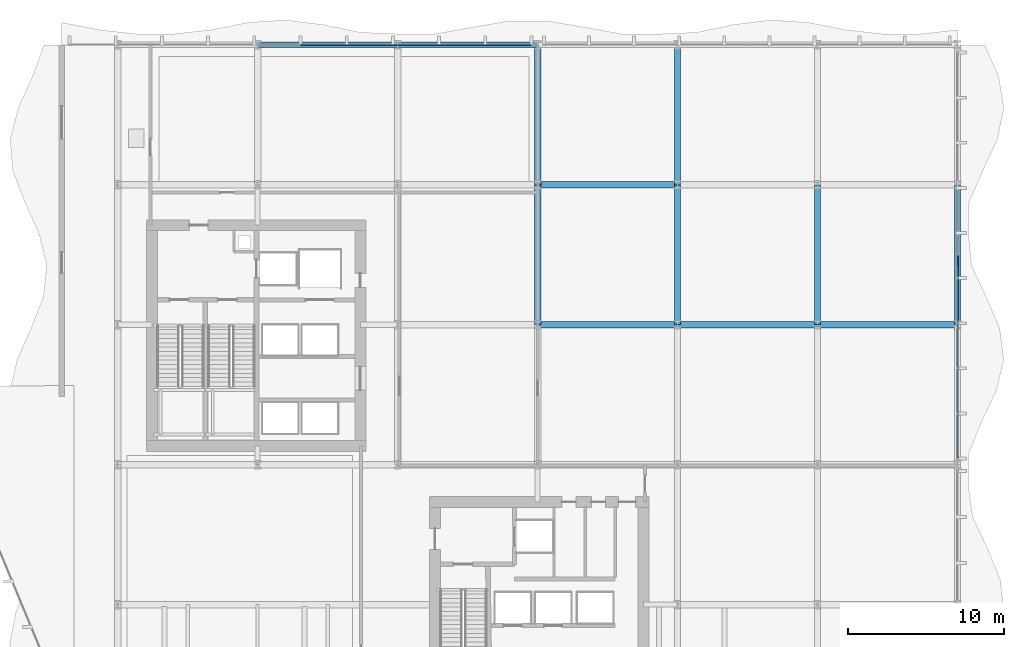
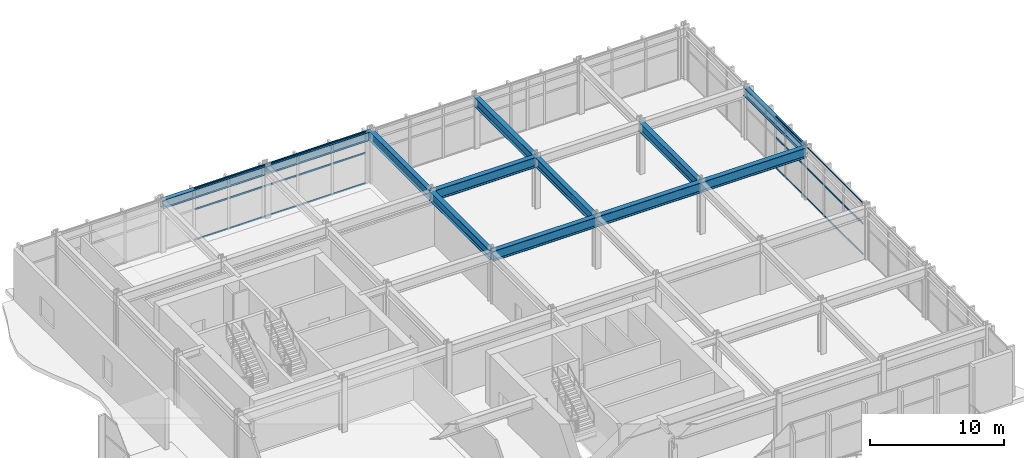
# One storey, part 14 of 28: 12 beams, 6 members, 2 elements without a shape of their own.
"""IFC4 building model written with IfcOpenShell, lengths in metres."""

from ifc_helpers import new_model, si_unit, direction, frame, origin, origin_2d, place, context, subcontext, project, spatial, hollow_rectangle, i_section, extrude, material, layer, layer_set, material_profile, profile_set, type_object, element, aggregate, save


model = new_model("IFC4")

# Units and contexts
model_context = context("Model", 3, precision=1e-05, world=origin(), true_north=direction((0.0, 1.0)))
body_context = subcontext(model_context, "Body", "Model", "MODEL_VIEW")
ifc_project = project(units=[si_unit("LENGTHUNIT", "METRE"), si_unit("AREAUNIT", "SQUARE_METRE"), si_unit("VOLUMEUNIT", "CUBIC_METRE"), si_unit("PLANEANGLEUNIT", "RADIAN"), si_unit("MASSUNIT", "GRAM", prefix="KILO")], contexts=[model_context])

# Site, building, storey
site_placement = place(None, origin())
site = spatial("IfcSite", under=ifc_project, at=site_placement, CompositionType="ELEMENT")
building_placement = place(site_placement, origin())
building = spatial("IfcBuilding", under=site, at=building_placement, Name="Solvaryn Broadcast Tower", CompositionType="ELEMENT")
storey_placement = place(building_placement, frame((0.0, 0.0, 16.199951171875)))
storey = spatial("IfcBuildingStorey", under=building, at=storey_placement, Name="L03", CompositionType="ELEMENT", Elevation=16.199951171875)

# Beams
ifc_material_1 = material(Name="Steel ASTM A992 Grade 50", Category="steel")
ifc_material_profile_1 = material_profile(ifc_material_1, i_section(OverallWidth=0.41796875, OverallDepth=0.927001953125, WebThickness=0.019287109375, FlangeThickness=0.031982421875, FilletRadius=0.02392578125, at=origin_2d()))
ifc_profile_set_1 = profile_set([ifc_material_profile_1], Name="Steel ASTM A992 Grade 50")
beam_type_1 = type_object("IfcBeamType", Name="BM-G2-W36X231", PredefinedType="BEAM", material=ifc_profile_set_1)
for number, where, z_axis, x_axis, name in (
    (1, (36.0, 36.0, 4.216552734375), (1.0, 0.0, 0.0), (0.0, 1.0, 0.0), "L03 Primary Beam X (36-45 @ Y=36)"),
    (2, (45.0, 36.0, 4.216552734375), (1.0, 0.0, 0.0), (0.0, 1.0, 0.0), "L03 Primary Beam X (45-54 @ Y=36)"),
    (3, (54.0, 36.0, 4.216552734375), (1.0, 0.0, 0.0), (0.0, 1.0, 0.0), "L03 Primary Beam X (54-63 @ Y=36)"),
    (4, (36.0, 45.0, 4.216552734375), (1.0, 0.0, 0.0), (0.0, 1.0, 0.0), "L03 Primary Beam X (36-45 @ Y=45)"),
):
    element("IfcBeam", number, at=place(storey_placement, frame(where, z_axis=z_axis, x_axis=x_axis)), inside=storey, type_object=beam_type_1, Name=name, PredefinedType="BEAM", context=body_context, shape_type="SweptSolid", body=[
        extrude(i_section(OverallWidth=0.41796875, OverallDepth=0.927001953125, WebThickness=0.019287109375, FlangeThickness=0.031982421875, FilletRadius=0.02392578125, at=origin_2d()), origin(), (0.0, 0.0, 1.0), 9.0),
    ])
ifc_material_2 = material(Name="Steel ASTM A992 Grade 50", Category="steel")
ifc_material_profile_2 = material_profile(ifc_material_2, i_section(OverallWidth=0.39990234375, OverallDepth=0.85498046875, WebThickness=0.018310546875, FlangeThickness=0.029296875, FilletRadius=0.02001953125, at=origin_2d()))
ifc_profile_set_2 = profile_set([ifc_material_profile_2], Name="Steel ASTM A992 Grade 50")
beam_type_2 = type_object("IfcBeamType", Name="BM-G3-W33X201", PredefinedType="BEAM", material=ifc_profile_set_2)
for number, where, z_axis, x_axis, name in (
    (5, (36.0, 36.0, 4.25244140625), (0.0, 1.0, 0.0), (-1.0, 0.0, 0.0), "L03 Primary Beam Y (36-45 @ X=36)"),
    (6, (36.0, 45.0, 4.25244140625), (0.0, 1.0, 0.0), (-1.0, 0.0, 0.0), "L03 Primary Beam Y (45-54 @ X=36)"),
    (7, (45.0, 36.0, 4.25244140625), (0.0, 1.0, 0.0), (-1.0, 0.0, 0.0), "L03 Primary Beam Y (36-45 @ X=45)"),
    (8, (45.0, 45.0, 4.25244140625), (0.0, 1.0, 0.0), (-1.0, 0.0, 0.0), "L03 Primary Beam Y (45-54 @ X=45)"),
    (9, (54.0, 36.0, 4.25244140625), (0.0, 1.0, 0.0), (-1.0, 0.0, 0.0), "L03 Primary Beam Y (36-45 @ X=54)"),
):
    element("IfcBeam", number, at=place(storey_placement, frame(where, z_axis=z_axis, x_axis=x_axis)), inside=storey, type_object=beam_type_2, Name=name, PredefinedType="BEAM", context=body_context, shape_type="SweptSolid", body=[
        extrude(i_section(OverallWidth=0.39990234375, OverallDepth=0.85498046875, WebThickness=0.018310546875, FlangeThickness=0.029296875, FilletRadius=0.02001953125, at=origin_2d()), origin(), (0.0, 0.0, 1.0), 9.0),
    ])
ifc_material_3 = material(Name="Steel ASTM A992 Grade 50", Category="steel")
ifc_material_profile_3 = material_profile(ifc_material_3, i_section(OverallWidth=0.381103515625, OverallDepth=0.77294921875, WebThickness=0.0166015625, FlangeThickness=0.027099609375, FilletRadius=0.01806640625, at=origin_2d()))
ifc_profile_set_3 = profile_set([ifc_material_profile_3], Name="Steel ASTM A992 Grade 50")
beam_type_3 = type_object("IfcBeamType", Name="BM-SP1-W30X173", PredefinedType="USERDEFINED", material=ifc_profile_set_3)
for number, where, z_axis, x_axis, name in (
    (10, (18.0, 54.0, 4.29345703125), (1.0, 0.0, 0.0), (0.0, 1.0, 0.0), "L03 Spandrel Beam X (18-27 @ Y=54)"),
    (11, (27.0, 54.0, 4.29345703125), (1.0, 0.0, 0.0), (0.0, 1.0, 0.0), "L03 Spandrel Beam X (27-36 @ Y=54)"),
    (12, (63.0, 36.0, 4.29345703125), (0.0, 1.0, 0.0), (-1.0, 0.0, 0.0), "L03 Spandrel Beam Y (36-45 @ X=63)"),
):
    element("IfcBeam", number, at=place(storey_placement, frame(where, z_axis=z_axis, x_axis=x_axis)), inside=storey, type_object=beam_type_3, Name=name, ObjectType="SPANDREL", PredefinedType="USERDEFINED", context=body_context, shape_type="SweptSolid", body=[
        extrude(i_section(OverallWidth=0.381103515625, OverallDepth=0.77294921875, WebThickness=0.0166015625, FlangeThickness=0.027099609375, FilletRadius=0.01806640625, at=origin_2d()), origin(), (0.0, 0.0, 1.0), 9.0),
    ])

# Curtain wall, members
ifc_material_4 = material(Name="Aluminium and Terracotta Unitised Curtain Wall", Category="masonry")
ifc_layer = layer(ifc_material_4, 0.219970703125)
ifc_layer_set = layer_set([ifc_layer], Name="CW-SYS1-PODIUM")
curtain_wall_type = type_object("IfcCurtainWallType", Name="CW-SYS1-PODIUM", PredefinedType="NOTDEFINED", material=ifc_layer_set)
curtain_wall_1_placement = place(storey_placement, origin())
curtain_wall_1 = element("IfcCurtainWall", 13, at=curtain_wall_1_placement, inside=storey, type_object=curtain_wall_type, Name="L03 Podium Curtain Wall N1", PredefinedType="NOTDEFINED")
ifc_material_5 = material(Name="Anodised Aluminium 6063-T6", Category="aluminium")
ifc_material_profile_4 = material_profile(ifc_material_5, hollow_rectangle(XDim=0.06494140625, YDim=0.14990234375, WallThickness=0.00390625, InnerFilletRadius=0.00390625, OuterFilletRadius=0.008056640625, at=origin_2d()))
ifc_profile_set_4 = profile_set([ifc_material_profile_4], Name="Anodised Aluminium 6063-T6")
member_type = type_object("IfcMemberType", Name="CW-TRN-150", PredefinedType="USERDEFINED", material=ifc_profile_set_4)
member_1_placement = place(storey_placement, frame((20.780029296875, 54.0, 0.030029296875), z_axis=(1.0, 0.0, 0.0), x_axis=(0.0, 1.0, 0.0)))
member_1 = element("IfcMember", 14, at=member_1_placement, type_object=member_type, Name="CWS1 transom 2.1", ObjectType="TRANSOM", PredefinedType="USERDEFINED", context=body_context, shape_type="SweptSolid", body=[
    extrude(hollow_rectangle(XDim=0.06494140625, YDim=0.14990234375, WallThickness=0.00390625, InnerFilletRadius=0.00390625, OuterFilletRadius=0.008056640625, at=origin_2d()), origin(), (0.0, 0.0, 1.0), 14.760009765625),
])
member_2_placement = place(storey_placement, frame((20.780029296875, 54.0, 2.800048828125), z_axis=(1.0, 0.0, 0.0), x_axis=(0.0, 1.0, 0.0)))
member_2 = element("IfcMember", 15, at=member_2_placement, type_object=member_type, Name="CWS1 transom 2.2", ObjectType="TRANSOM", PredefinedType="USERDEFINED", context=body_context, shape_type="SweptSolid", body=[
    extrude(hollow_rectangle(XDim=0.06494140625, YDim=0.14990234375, WallThickness=0.00390625, InnerFilletRadius=0.00390625, OuterFilletRadius=0.008056640625, at=origin_2d()), origin(), (0.0, 0.0, 1.0), 14.760009765625),
])
member_3_placement = place(storey_placement, frame((20.780029296875, 54.0, 4.650146484375), z_axis=(1.0, 0.0, 0.0), x_axis=(0.0, 1.0, 0.0)))
member_3 = element("IfcMember", 16, at=member_3_placement, type_object=member_type, Name="CWS1 transom 2.3", ObjectType="TRANSOM", PredefinedType="USERDEFINED", context=body_context, shape_type="SweptSolid", body=[
    extrude(hollow_rectangle(XDim=0.06494140625, YDim=0.14990234375, WallThickness=0.00390625, InnerFilletRadius=0.00390625, OuterFilletRadius=0.008056640625, at=origin_2d()), origin(), (0.0, 0.0, 1.0), 14.760009765625),
])
aggregate(curtain_wall_1, [member_1, member_2, member_3])

curtain_wall_2_placement = place(storey_placement, origin())
curtain_wall_2 = element("IfcCurtainWall", 17, at=curtain_wall_2_placement, inside=storey, type_object=curtain_wall_type, Name="L03 Podium Curtain Wall E1", PredefinedType="NOTDEFINED")
member_4_placement = place(storey_placement, frame((63.0, 40.419921875, 0.030029296875), z_axis=(0.0, -1.0, 0.0), x_axis=(1.0, 0.0, 0.0)))
member_4 = element("IfcMember", 18, at=member_4_placement, type_object=member_type, Name="CWS1 transom 2.1", ObjectType="TRANSOM", PredefinedType="USERDEFINED", context=body_context, shape_type="SweptSolid", body=[
    extrude(hollow_rectangle(XDim=0.06494140625, YDim=0.14990234375, WallThickness=0.00390625, InnerFilletRadius=0.00390625, OuterFilletRadius=0.008056640625, at=origin_2d()), origin(), (0.0, 0.0, 1.0), 12.9599609375),
])
member_5_placement = place(storey_placement, frame((63.0, 40.419921875, 2.800048828125), z_axis=(0.0, -1.0, 0.0), x_axis=(1.0, 0.0, 0.0)))
member_5 = element("IfcMember", 19, at=member_5_placement, type_object=member_type, Name="CWS1 transom 2.2", ObjectType="TRANSOM", PredefinedType="USERDEFINED", context=body_context, shape_type="SweptSolid", body=[
    extrude(hollow_rectangle(XDim=0.06494140625, YDim=0.14990234375, WallThickness=0.00390625, InnerFilletRadius=0.00390625, OuterFilletRadius=0.008056640625, at=origin_2d()), origin(), (0.0, 0.0, 1.0), 12.9599609375),
])
member_6_placement = place(storey_placement, frame((63.0, 40.419921875, 4.650146484375), z_axis=(0.0, -1.0, 0.0), x_axis=(1.0, 0.0, 0.0)))
member_6 = element("IfcMember", 20, at=member_6_placement, type_object=member_type, Name="CWS1 transom 2.3", ObjectType="TRANSOM", PredefinedType="USERDEFINED", context=body_context, shape_type="SweptSolid", body=[
    extrude(hollow_rectangle(XDim=0.06494140625, YDim=0.14990234375, WallThickness=0.00390625, InnerFilletRadius=0.00390625, OuterFilletRadius=0.008056640625, at=origin_2d()), origin(), (0.0, 0.0, 1.0), 12.9599609375),
])
aggregate(curtain_wall_2, [member_4, member_5, member_6])

save(model, "model.ifc")
